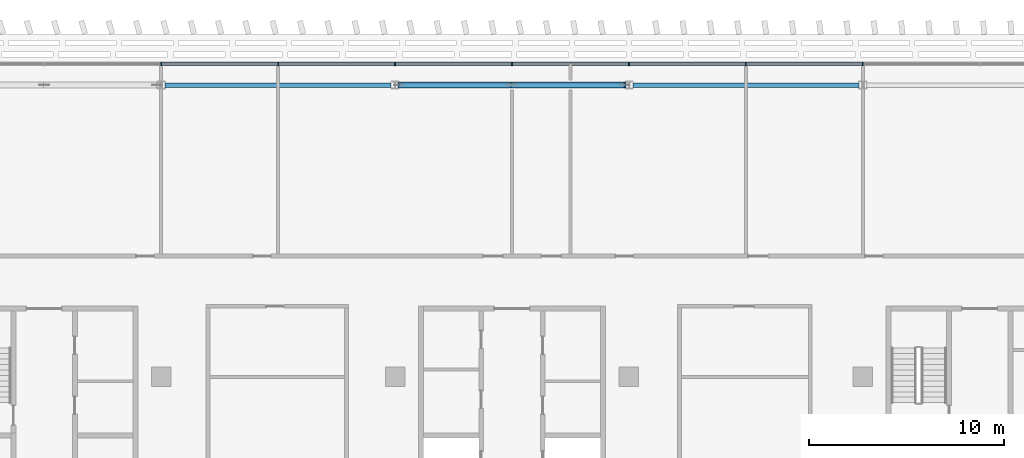
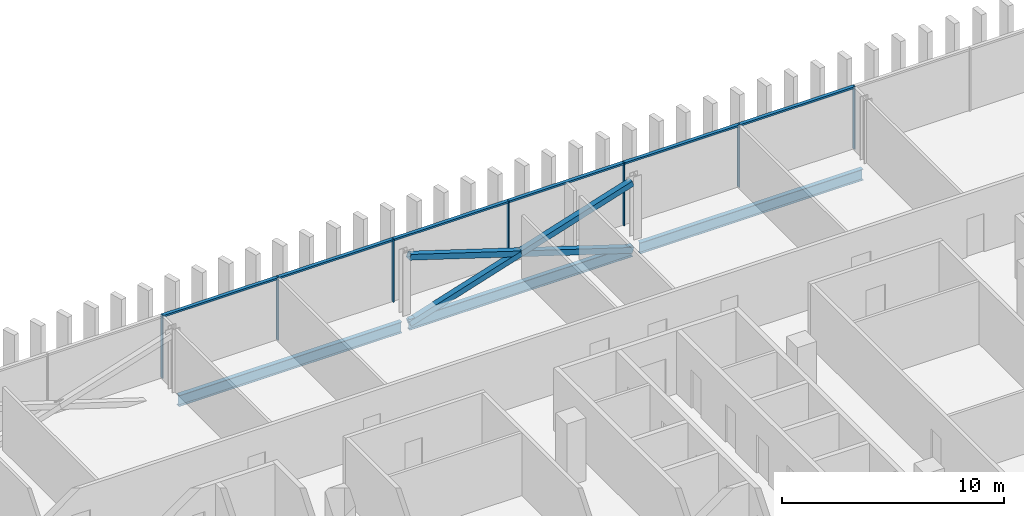
# One storey, part 10 of 32: 16 members, 3 beams, 1 element without a shape of its own.
"""IFC4 building model written with IfcOpenShell, lengths in metres."""

from ifc_helpers import new_model, si_unit, direction, frame, origin, origin_2d, place, context, subcontext, project, spatial, rectangle, hollow_rectangle, i_section, extrude, material, material_profile, profile_set, type_object, element, aggregate, save


model = new_model("IFC4")

# Units and contexts
model_context = context("Model", 3, precision=1e-05, world=origin(), true_north=direction((0.0, 1.0)))
body_context = subcontext(model_context, "Body", "Model", "MODEL_VIEW")
ifc_project = project(units=[si_unit("LENGTHUNIT", "METRE"), si_unit("AREAUNIT", "SQUARE_METRE"), si_unit("VOLUMEUNIT", "CUBIC_METRE"), si_unit("PLANEANGLEUNIT", "RADIAN"), si_unit("MASSUNIT", "GRAM", prefix="KILO")], contexts=[model_context])

# Site, building, storey
site_placement = place(None, origin())
site = spatial("IfcSite", under=ifc_project, at=site_placement, CompositionType="ELEMENT")
building_placement = place(site_placement, origin())
building = spatial("IfcBuilding", under=site, at=building_placement, Name="Mahtab Terrace Research Tower", CompositionType="ELEMENT")
storey_placement = place(building_placement, frame((0.0, 0.0, 243.800048828125)))
storey = spatial("IfcBuildingStorey", under=building, at=storey_placement, Name="L59", CompositionType="ELEMENT", Elevation=243.800048828125)

# Members
ifc_material_1 = material(Name="Steel ASTM A500 Gr C", Category="steel")
ifc_material_profile_1 = material_profile(ifc_material_1, hollow_rectangle(XDim=0.3046875, YDim=0.3046875, WallThickness=0.015869140625, at=origin_2d()), Name="HSS12X12X5/8")
ifc_profile_set_1 = profile_set([ifc_material_profile_1], Name="Steel ASTM A500 Gr C")
member_type_1 = type_object("IfcMemberType", Name="HSS 12x12x5/8 brace XB121258", PredefinedType="BRACE", material=ifc_profile_set_1)
member_1_placement = place(storey_placement, frame((5.800537109375, 26.472900390625, -0.58056640625), z_axis=(-0.953338568311, 0.0, 0.301903252998), x_axis=(0.0, -1.0, 0.0)))
element("IfcMember", 1, at=member_1_placement, inside=storey, type_object=member_type_1, Name="Exoskeleton brace L59 05 a", PredefinedType="BRACE", context=body_context, shape_type="SweptSolid", body=[
    extrude(hollow_rectangle(XDim=0.3046875, YDim=0.3046875, WallThickness=0.015869140625, at=origin_2d()), origin(), (0.0, 0.0, 1.0), 12.1689453125),
])
for number, where, z_axis, x_axis, name in (
    (2, (-5.800537109375, 26.472900390625, -0.58056640625), (0.953338568311, 0.0, 0.301903252998), (0.0, 1.0, 0.0), "Exoskeleton brace L59 05 b1"),
    (3, (0.0, 26.472900390625, 1.25634765625), (0.953338568311, 0.0, 0.301903252998), (0.0, 1.0, 0.0), "Exoskeleton brace L59 05 b2"),
):
    element("IfcMember", number, at=place(storey_placement, frame(where, z_axis=z_axis, x_axis=x_axis)), inside=storey, type_object=member_type_1, Name=name, PredefinedType="BRACE", context=body_context, shape_type="SweptSolid", body=[
        extrude(hollow_rectangle(XDim=0.3046875, YDim=0.3046875, WallThickness=0.015869140625, at=origin_2d()), origin(), (0.0, 0.0, 1.0), 6.08447265625),
    ])

# Curtain wall, members
ifc_material_2 = material(Name="Office ribbon curtain wall")
curtain_wall_type = type_object("IfcCurtainWallType", Name="Office ribbon curtain wall", PredefinedType="NOTDEFINED", material=ifc_material_2)
curtain_wall_placement = place(storey_placement, origin())
curtain_wall = element("IfcCurtainWall", 4, at=curtain_wall_placement, inside=storey, type_object=curtain_wall_type, Name="EN.L59.3.3", PredefinedType="NOTDEFINED")
ifc_material_3 = material(Name="Natural anodised aluminium", Category="aluminium")
ifc_material_profile_2 = material_profile(ifc_material_3, rectangle(XDim=0.179931640625, YDim=0.06005859375, at=origin_2d()), Name="MULLION 60x180")
ifc_profile_set_2 = profile_set([ifc_material_profile_2], Name="Natural anodised aluminium")
member_type_2 = type_object("IfcMemberType", Name="Office ribbon curtain wall mullion", PredefinedType="MULLION", material=ifc_profile_set_2)
member_2_placement = place(storey_placement, frame((18.0, 27.555908203125, 0.0), z_axis=(0.0, 0.0, 1.0), x_axis=(0.0, -1.0, 0.0)))
member_2 = element("IfcMember", 5, at=member_2_placement, type_object=member_type_2, Name="CWO-7 mullion 6", PredefinedType="MULLION", context=body_context, shape_type="SweptSolid", body=[
    extrude(rectangle(XDim=0.179931640625, YDim=0.06005859375, at=origin_2d()), origin(), (0.0, 0.0, 1.0), 3.4599609375),
])
member_3_placement = place(storey_placement, frame((12.0, 27.555908203125, 0.0), z_axis=(0.0, 0.0, 1.0), x_axis=(0.0, -1.0, 0.0)))
member_3 = element("IfcMember", 6, at=member_3_placement, type_object=member_type_2, Name="CWO-7 mullion 7", PredefinedType="MULLION", context=body_context, shape_type="SweptSolid", body=[
    extrude(rectangle(XDim=0.179931640625, YDim=0.06005859375, at=origin_2d()), origin(), (0.0, 0.0, 1.0), 3.4599609375),
])
member_4_placement = place(storey_placement, frame((6.0, 27.555908203125, 0.0), z_axis=(0.0, 0.0, 1.0), x_axis=(0.0, -1.0, 0.0)))
member_4 = element("IfcMember", 7, at=member_4_placement, type_object=member_type_2, Name="CWO-7 mullion 8", PredefinedType="MULLION", context=body_context, shape_type="SweptSolid", body=[
    extrude(rectangle(XDim=0.179931640625, YDim=0.06005859375, at=origin_2d()), origin(), (0.0, 0.0, 1.0), 3.4599609375),
])
member_5_placement = place(storey_placement, frame((0.0, 27.555908203125, 0.0), z_axis=(0.0, 0.0, 1.0), x_axis=(0.0, -1.0, 0.0)))
member_5 = element("IfcMember", 8, at=member_5_placement, type_object=member_type_2, Name="CWO-7 mullion 9", PredefinedType="MULLION", context=body_context, shape_type="SweptSolid", body=[
    extrude(rectangle(XDim=0.179931640625, YDim=0.06005859375, at=origin_2d()), origin(), (0.0, 0.0, 1.0), 3.4599609375),
])
member_6_placement = place(storey_placement, frame((-6.0, 27.555908203125, 0.0), z_axis=(0.0, 0.0, 1.0), x_axis=(0.0, -1.0, 0.0)))
member_6 = element("IfcMember", 9, at=member_6_placement, type_object=member_type_2, Name="CWO-7 mullion 10", PredefinedType="MULLION", context=body_context, shape_type="SweptSolid", body=[
    extrude(rectangle(XDim=0.179931640625, YDim=0.06005859375, at=origin_2d()), origin(), (0.0, 0.0, 1.0), 3.4599609375),
])
member_7_placement = place(storey_placement, frame((-12.0, 27.555908203125, 0.0), z_axis=(0.0, 0.0, 1.0), x_axis=(0.0, -1.0, 0.0)))
member_7 = element("IfcMember", 10, at=member_7_placement, type_object=member_type_2, Name="CWO-7 mullion 11", PredefinedType="MULLION", context=body_context, shape_type="SweptSolid", body=[
    extrude(rectangle(XDim=0.179931640625, YDim=0.06005859375, at=origin_2d()), origin(), (0.0, 0.0, 1.0), 3.4599609375),
])
member_8_placement = place(storey_placement, frame((-18.0, 27.555908203125, 0.0), z_axis=(0.0, 0.0, 1.0), x_axis=(0.0, -1.0, 0.0)))
member_8 = element("IfcMember", 11, at=member_8_placement, type_object=member_type_2, Name="CWO-7 mullion 12", PredefinedType="MULLION", context=body_context, shape_type="SweptSolid", body=[
    extrude(rectangle(XDim=0.179931640625, YDim=0.06005859375, at=origin_2d()), origin(), (0.0, 0.0, 1.0), 3.4599609375),
])
ifc_material_profile_3 = material_profile(ifc_material_3, rectangle(XDim=0.179931640625, YDim=0.10009765625, at=origin_2d()), Name="TRANSOM 100x180")
ifc_profile_set_3 = profile_set([ifc_material_profile_3], Name="Natural anodised aluminium")
member_type_3 = type_object("IfcMemberType", Name="Office ribbon curtain wall transom", PredefinedType="USERDEFINED", material=ifc_profile_set_3)
member_9_placement = place(storey_placement, frame((17.969970703125, 27.555908203125, 3.409912109375), z_axis=(-1.0, 0.0, 0.0), x_axis=(0.0, -1.0, 0.0)))
member_9 = element("IfcMember", 12, at=member_9_placement, type_object=member_type_3, Name="CWO-7 transom 6", ObjectType="TRANSOM", PredefinedType="USERDEFINED", context=body_context, shape_type="SweptSolid", body=[
    extrude(rectangle(XDim=0.179931640625, YDim=0.10009765625, at=origin_2d()), origin(), (0.0, 0.0, 1.0), 5.93994140625),
])
member_10_placement = place(storey_placement, frame((11.969970703125, 27.555908203125, 3.409912109375), z_axis=(-1.0, 0.0, 0.0), x_axis=(0.0, -1.0, 0.0)))
member_10 = element("IfcMember", 13, at=member_10_placement, type_object=member_type_3, Name="CWO-7 transom 7", ObjectType="TRANSOM", PredefinedType="USERDEFINED", context=body_context, shape_type="SweptSolid", body=[
    extrude(rectangle(XDim=0.179931640625, YDim=0.10009765625, at=origin_2d()), origin(), (0.0, 0.0, 1.0), 5.93994140625),
])
member_11_placement = place(storey_placement, frame((5.969970703125, 27.555908203125, 3.409912109375), z_axis=(-1.0, 0.0, 0.0), x_axis=(0.0, -1.0, 0.0)))
member_11 = element("IfcMember", 14, at=member_11_placement, type_object=member_type_3, Name="CWO-7 transom 8", ObjectType="TRANSOM", PredefinedType="USERDEFINED", context=body_context, shape_type="SweptSolid", body=[
    extrude(rectangle(XDim=0.179931640625, YDim=0.10009765625, at=origin_2d()), origin(), (0.0, 0.0, 1.0), 5.93994140625),
])
member_12_placement = place(storey_placement, frame((-0.030029296875, 27.555908203125, 3.409912109375), z_axis=(-1.0, 0.0, 0.0), x_axis=(0.0, -1.0, 0.0)))
member_12 = element("IfcMember", 15, at=member_12_placement, type_object=member_type_3, Name="CWO-7 transom 9", ObjectType="TRANSOM", PredefinedType="USERDEFINED", context=body_context, shape_type="SweptSolid", body=[
    extrude(rectangle(XDim=0.179931640625, YDim=0.10009765625, at=origin_2d()), origin(), (0.0, 0.0, 1.0), 5.93994140625),
])
member_13_placement = place(storey_placement, frame((-6.030029296875, 27.555908203125, 3.409912109375), z_axis=(-1.0, 0.0, 0.0), x_axis=(0.0, -1.0, 0.0)))
member_13 = element("IfcMember", 16, at=member_13_placement, type_object=member_type_3, Name="CWO-7 transom 10", ObjectType="TRANSOM", PredefinedType="USERDEFINED", context=body_context, shape_type="SweptSolid", body=[
    extrude(rectangle(XDim=0.179931640625, YDim=0.10009765625, at=origin_2d()), origin(), (0.0, 0.0, 1.0), 5.93994140625),
])
member_14_placement = place(storey_placement, frame((-12.030029296875, 27.555908203125, 3.409912109375), z_axis=(-1.0, 0.0, 0.0), x_axis=(0.0, -1.0, 0.0)))
member_14 = element("IfcMember", 17, at=member_14_placement, type_object=member_type_3, Name="CWO-7 transom 11", ObjectType="TRANSOM", PredefinedType="USERDEFINED", context=body_context, shape_type="SweptSolid", body=[
    extrude(rectangle(XDim=0.179931640625, YDim=0.10009765625, at=origin_2d()), origin(), (0.0, 0.0, 1.0), 5.93994140625),
])
aggregate(curtain_wall, [member_2, member_3, member_4, member_5, member_6, member_7, member_8, member_9, member_10, member_11, member_12, member_13, member_14])

# Beams
ifc_material_4 = material(Name="Steel ASTM A992 Gr 50", Category="steel")
ifc_material_profile_4 = material_profile(ifc_material_4, i_section(OverallWidth=0.228271484375, OverallDepth=0.607177734375, WebThickness=0.01123046875, FlangeThickness=0.017333984375, at=origin_2d()), Name="W24X76")
ifc_profile_set_4 = profile_set([ifc_material_profile_4], Name="Steel ASTM A992 Gr 50")
beam_type = type_object("IfcBeamType", Name="W24x76 beam BS2476", PredefinedType="BEAM", material=ifc_profile_set_4)
for number, where, z_axis, x_axis, name in (
    (18, (17.800537109375, 26.472900390625, -0.6435546875), (-1.0, 0.0, 0.0), (0.0, -1.0, 0.0), "Spandrel beam L59 04"),
    (19, (5.800537109375, 26.472900390625, -0.6435546875), (-1.0, 0.0, 0.0), (0.0, -1.0, 0.0), "Spandrel beam L59 05"),
    (20, (-6.199462890625, 26.472900390625, -0.6435546875), (-1.0, 0.0, 0.0), (0.0, -1.0, 0.0), "Spandrel beam L59 06"),
):
    element("IfcBeam", number, at=place(storey_placement, frame(where, z_axis=z_axis, x_axis=x_axis)), inside=storey, type_object=beam_type, Name=name, PredefinedType="BEAM", context=body_context, shape_type="SweptSolid", body=[
        extrude(i_section(OverallWidth=0.228271484375, OverallDepth=0.607177734375, WebThickness=0.01123046875, FlangeThickness=0.017333984375, at=origin_2d()), origin(), (0.0, 0.0, 1.0), 11.60107421875),
    ])

save(model, "model.ifc")
